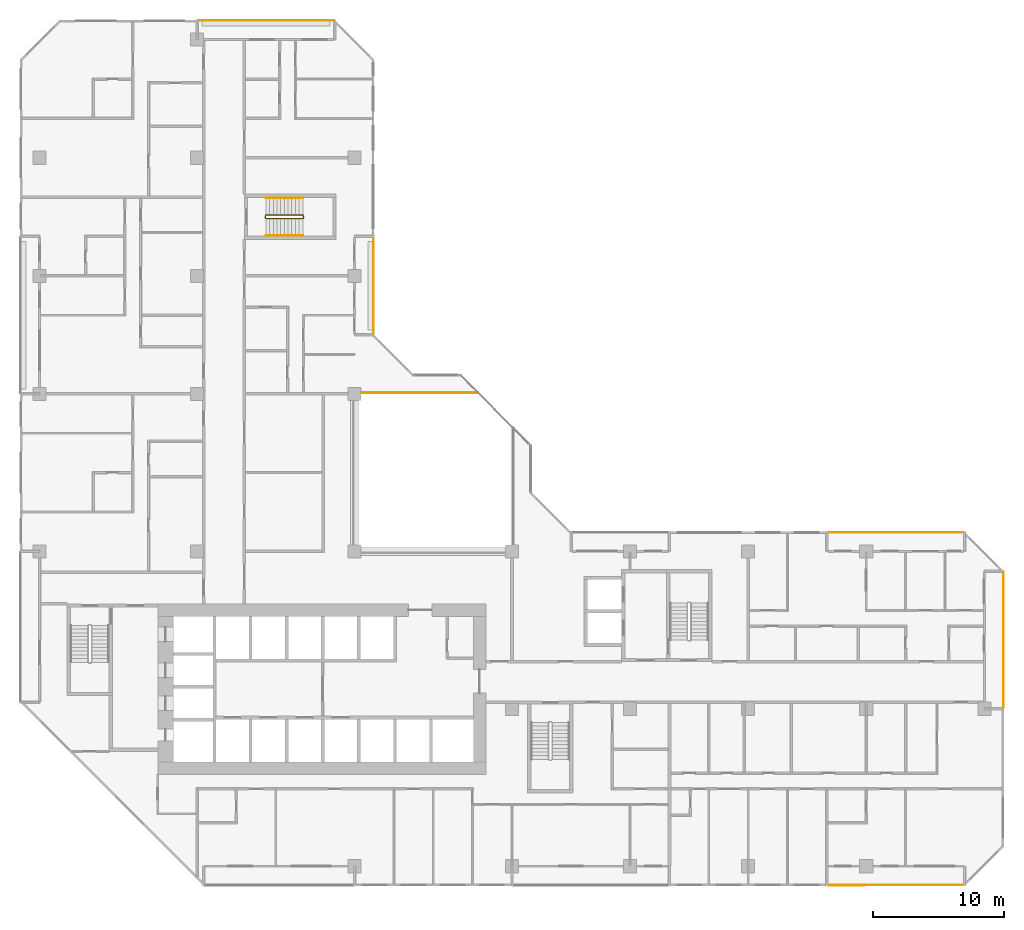
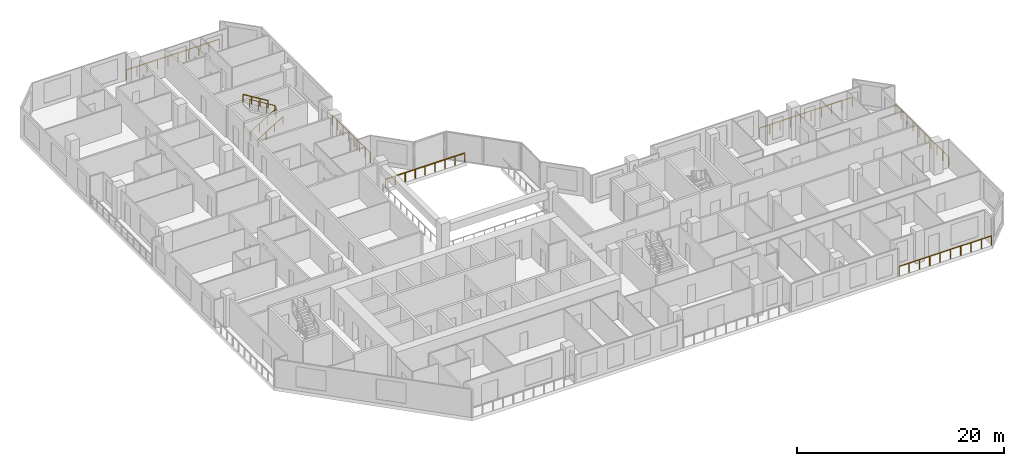
# One storey, part 15 of 15: 9 railings.
"""IFC4 building model written with IfcOpenShell, lengths in metres."""

from ifc_helpers import new_model, si_unit, direction, frame, origin, origin_2d, place, context, subcontext, project, spatial, rectangle, extrude, material, type_object, element, save


model = new_model("IFC4")

# Units and contexts
model_context = context("Model", 3, precision=1e-05, world=origin(), true_north=direction((0.0, 1.0)))
body_context = subcontext(model_context, "Body", "Model", "MODEL_VIEW")
ifc_project = project(units=[si_unit("LENGTHUNIT", "METRE"), si_unit("AREAUNIT", "SQUARE_METRE"), si_unit("VOLUMEUNIT", "CUBIC_METRE"), si_unit("PLANEANGLEUNIT", "RADIAN"), si_unit("MASSUNIT", "GRAM", prefix="KILO")], contexts=[model_context])

# Site, building, storey
site_placement = place(None, origin())
site = spatial("IfcSite", under=ifc_project, at=site_placement, CompositionType="ELEMENT")
building_placement = place(site_placement, origin())
building = spatial("IfcBuilding", under=site, at=building_placement, Name="Chenar Terraces", CompositionType="ELEMENT")
storey_placement = place(building_placement, frame((0.0, 0.0, 136.89990234375)))
storey = spatial("IfcBuildingStorey", under=building, at=storey_placement, Name="L32", CompositionType="ELEMENT", Elevation=136.89990234375)

# Railings
ifc_material_1 = material(Name="Powder-coated steel", Category="steel")
railing_type_1 = type_object("IfcRailingType", Name="Guard 1100 steel rail with glass infill", PredefinedType="GUARDRAIL", material=ifc_material_1)
railing_1_placement = place(storey_placement, frame((24.550048828125, 36.10009765625, 0.0)))
element("IfcRailing", 1, at=railing_1_placement, inside=storey, type_object=railing_type_1, Name="Guard L32-2", PredefinedType="GUARDRAIL", context=body_context, shape_type="SweptSolid", body=[
    extrude(rectangle(XDim=0.06005859375, YDim=0.06005859375, at=origin_2d()), frame((0.0, 0.0, 1.070068359375), z_axis=(1.0, 0.0, 0.0), x_axis=(0.0, 1.0, 0.0)), (0.0, 0.0, 1.0), 8.849853515625),
    extrude(rectangle(XDim=0.050048828125, YDim=0.050048828125, at=origin_2d()), origin(), (0.0, 0.0, 1.0), 1.0400390625),
    extrude(rectangle(XDim=0.050048828125, YDim=0.050048828125, at=origin_2d()), frame((1.106201171875, 0.0, 0.0)), (0.0, 0.0, 1.0), 1.0400390625),
    extrude(rectangle(XDim=0.050048828125, YDim=0.050048828125, at=origin_2d()), frame((2.21240234375, 0.0, 0.0)), (0.0, 0.0, 1.0), 1.0400390625),
    extrude(rectangle(XDim=0.050048828125, YDim=0.050048828125, at=origin_2d()), frame((3.318603515625, 0.0, 0.0)), (0.0, 0.0, 1.0), 1.0400390625),
    extrude(rectangle(XDim=0.050048828125, YDim=0.050048828125, at=origin_2d()), frame((4.4248046875, 0.0, 0.0)), (0.0, 0.0, 1.0), 1.0400390625),
    extrude(rectangle(XDim=0.050048828125, YDim=0.050048828125, at=origin_2d()), frame((5.53125, 0.0, 0.0)), (0.0, 0.0, 1.0), 1.0400390625),
    extrude(rectangle(XDim=0.050048828125, YDim=0.050048828125, at=origin_2d()), frame((6.637451171875, 0.0, 0.0)), (0.0, 0.0, 1.0), 1.0400390625),
    extrude(rectangle(XDim=0.050048828125, YDim=0.050048828125, at=origin_2d()), frame((7.74365234375, 0.0, 0.0)), (0.0, 0.0, 1.0), 1.0400390625),
    extrude(rectangle(XDim=0.050048828125, YDim=0.050048828125, at=origin_2d()), frame((8.849853515625, 0.0, 0.0)), (0.0, 0.0, 1.0), 1.0400390625),
])
ifc_material_2 = material(Name="Stainless steel and glass", Category="steel")
railing_type_2 = type_object("IfcRailingType", Name="Loggia guard 1150", PredefinedType="GUARDRAIL", material=ifc_material_2)
railing_2_placement = place(storey_placement, frame((25.449951171875, 40.574951171875, 0.0)))
element("IfcRailing", 2, at=railing_2_placement, inside=storey, type_object=railing_type_2, Name="Loggia guard", PredefinedType="GUARDRAIL", context=body_context, shape_type="SweptSolid", body=[
    extrude(rectangle(XDim=0.048095703125, YDim=0.048095703125, at=origin_2d()), frame((0.0, 0.0, 1.1259765625), z_axis=(0.0, 1.0, 0.0), x_axis=(-1.0, 0.0, 0.0)), (0.0, 0.0, 1.0), 7.35009765625),
    extrude(rectangle(XDim=0.0419921875, YDim=0.0419921875, at=origin_2d()), origin(), (0.0, 0.0, 1.0), 1.101806640625),
    extrude(rectangle(XDim=0.0419921875, YDim=0.0419921875, at=origin_2d()), frame((0.0, 1.050048828125, 0.0)), (0.0, 0.0, 1.0), 1.101806640625),
    extrude(rectangle(XDim=0.0419921875, YDim=0.0419921875, at=origin_2d()), frame((0.0, 2.10009765625, 0.0)), (0.0, 0.0, 1.0), 1.101806640625),
    extrude(rectangle(XDim=0.0419921875, YDim=0.0419921875, at=origin_2d()), frame((0.0, 3.150146484375, 0.0)), (0.0, 0.0, 1.0), 1.101806640625),
    extrude(rectangle(XDim=0.0419921875, YDim=0.0419921875, at=origin_2d()), frame((0.0, 4.199951171875, 0.0)), (0.0, 0.0, 1.0), 1.101806640625),
    extrude(rectangle(XDim=0.0419921875, YDim=0.0419921875, at=origin_2d()), frame((0.0, 5.25, 0.0)), (0.0, 0.0, 1.0), 1.101806640625),
    extrude(rectangle(XDim=0.0419921875, YDim=0.0419921875, at=origin_2d()), frame((0.0, 6.300048828125, 0.0)), (0.0, 0.0, 1.0), 1.101806640625),
    extrude(rectangle(XDim=0.0419921875, YDim=0.0419921875, at=origin_2d()), frame((0.0, 7.35009765625, 0.0)), (0.0, 0.0, 1.0), 1.101806640625),
])
railing_3_placement = place(storey_placement, frame((73.449951171875, 12.074951171875, 0.0)))
element("IfcRailing", 3, at=railing_3_placement, inside=storey, type_object=railing_type_2, Name="Loggia guard", PredefinedType="GUARDRAIL", context=body_context, shape_type="SweptSolid", body=[
    extrude(rectangle(XDim=0.048095703125, YDim=0.048095703125, at=origin_2d()), frame((0.0, 0.0, 1.1259765625), z_axis=(0.0, 1.0, 0.0), x_axis=(-1.0, 0.0, 0.0)), (0.0, 0.0, 1.0), 10.35009765625),
    extrude(rectangle(XDim=0.0419921875, YDim=0.0419921875, at=origin_2d()), origin(), (0.0, 0.0, 1.0), 1.101806640625),
    extrude(rectangle(XDim=0.0419921875, YDim=0.0419921875, at=origin_2d()), frame((0.0, 1.14990234375, 0.0)), (0.0, 0.0, 1.0), 1.101806640625),
    extrude(rectangle(XDim=0.0419921875, YDim=0.0419921875, at=origin_2d()), frame((0.0, 2.300048828125, 0.0)), (0.0, 0.0, 1.0), 1.101806640625),
    extrude(rectangle(XDim=0.0419921875, YDim=0.0419921875, at=origin_2d()), frame((0.0, 3.449951171875, 0.0)), (0.0, 0.0, 1.0), 1.101806640625),
    extrude(rectangle(XDim=0.0419921875, YDim=0.0419921875, at=origin_2d()), frame((0.0, 4.60009765625, 0.0)), (0.0, 0.0, 1.0), 1.101806640625),
    extrude(rectangle(XDim=0.0419921875, YDim=0.0419921875, at=origin_2d()), frame((0.0, 5.75, 0.0)), (0.0, 0.0, 1.0), 1.101806640625),
    extrude(rectangle(XDim=0.0419921875, YDim=0.0419921875, at=origin_2d()), frame((0.0, 6.900146484375, 0.0)), (0.0, 0.0, 1.0), 1.101806640625),
    extrude(rectangle(XDim=0.0419921875, YDim=0.0419921875, at=origin_2d()), frame((0.0, 8.050048828125, 0.0)), (0.0, 0.0, 1.0), 1.101806640625),
    extrude(rectangle(XDim=0.0419921875, YDim=0.0419921875, at=origin_2d()), frame((0.0, 9.2001953125, 0.0)), (0.0, 0.0, 1.0), 1.101806640625),
    extrude(rectangle(XDim=0.0419921875, YDim=0.0419921875, at=origin_2d()), frame((0.0, 10.35009765625, 0.0)), (0.0, 0.0, 1.0), 1.101806640625),
])
for number, where, name in (
    (4, (70.425048828125, 25.449951171875, 0.0), "Loggia guard"),
    (5, (22.425048828125, 64.449951171875, 0.0), "Loggia guard"),
):
    element("IfcRailing", number, at=place(storey_placement, frame(where)), inside=storey, type_object=railing_type_2, Name=name, PredefinedType="GUARDRAIL", context=body_context, shape_type="SweptSolid", body=[
        extrude(rectangle(XDim=0.048095703125, YDim=0.048095703125, at=origin_2d()), frame((0.0, 0.0, 1.1259765625), z_axis=(-1.0, 0.0, 0.0), x_axis=(0.0, -1.0, 0.0)), (0.0, 0.0, 1.0), 10.35009765625),
        extrude(rectangle(XDim=0.0419921875, YDim=0.0419921875, at=origin_2d()), origin(), (0.0, 0.0, 1.0), 1.101806640625),
        extrude(rectangle(XDim=0.0419921875, YDim=0.0419921875, at=origin_2d()), frame((-1.14990234375, 0.0, 0.0)), (0.0, 0.0, 1.0), 1.101806640625),
        extrude(rectangle(XDim=0.0419921875, YDim=0.0419921875, at=origin_2d()), frame((-2.300048828125, 0.0, 0.0)), (0.0, 0.0, 1.0), 1.101806640625),
        extrude(rectangle(XDim=0.0419921875, YDim=0.0419921875, at=origin_2d()), frame((-3.449951171875, 0.0, 0.0)), (0.0, 0.0, 1.0), 1.101806640625),
        extrude(rectangle(XDim=0.0419921875, YDim=0.0419921875, at=origin_2d()), frame((-4.60009765625, 0.0, 0.0)), (0.0, 0.0, 1.0), 1.101806640625),
        extrude(rectangle(XDim=0.0419921875, YDim=0.0419921875, at=origin_2d()), frame((-5.75, 0.0, 0.0)), (0.0, 0.0, 1.0), 1.101806640625),
        extrude(rectangle(XDim=0.0419921875, YDim=0.0419921875, at=origin_2d()), frame((-6.900146484375, 0.0, 0.0)), (0.0, 0.0, 1.0), 1.101806640625),
        extrude(rectangle(XDim=0.0419921875, YDim=0.0419921875, at=origin_2d()), frame((-8.050048828125, 0.0, 0.0)), (0.0, 0.0, 1.0), 1.101806640625),
        extrude(rectangle(XDim=0.0419921875, YDim=0.0419921875, at=origin_2d()), frame((-9.2001953125, 0.0, 0.0)), (0.0, 0.0, 1.0), 1.101806640625),
        extrude(rectangle(XDim=0.0419921875, YDim=0.0419921875, at=origin_2d()), frame((-10.35009765625, 0.0, 0.0)), (0.0, 0.0, 1.0), 1.101806640625),
    ])
railing_4_placement = place(storey_placement, frame((60.074951171875, -1.449951171875, 0.0)))
element("IfcRailing", 6, at=railing_4_placement, inside=storey, type_object=railing_type_2, Name="Loggia guard", PredefinedType="GUARDRAIL", context=body_context, shape_type="SweptSolid", body=[
    extrude(rectangle(XDim=0.048095703125, YDim=0.048095703125, at=origin_2d()), frame((0.0, 0.0, 1.1259765625), z_axis=(1.0, 0.0, 0.0), x_axis=(0.0, 1.0, 0.0)), (0.0, 0.0, 1.0), 10.35009765625),
    extrude(rectangle(XDim=0.0419921875, YDim=0.0419921875, at=origin_2d()), origin(), (0.0, 0.0, 1.0), 1.101806640625),
    extrude(rectangle(XDim=0.0419921875, YDim=0.0419921875, at=origin_2d()), frame((1.14990234375, 0.0, 0.0)), (0.0, 0.0, 1.0), 1.101806640625),
    extrude(rectangle(XDim=0.0419921875, YDim=0.0419921875, at=origin_2d()), frame((2.300048828125, 0.0, 0.0)), (0.0, 0.0, 1.0), 1.101806640625),
    extrude(rectangle(XDim=0.0419921875, YDim=0.0419921875, at=origin_2d()), frame((3.449951171875, 0.0, 0.0)), (0.0, 0.0, 1.0), 1.101806640625),
    extrude(rectangle(XDim=0.0419921875, YDim=0.0419921875, at=origin_2d()), frame((4.60009765625, 0.0, 0.0)), (0.0, 0.0, 1.0), 1.101806640625),
    extrude(rectangle(XDim=0.0419921875, YDim=0.0419921875, at=origin_2d()), frame((5.75, 0.0, 0.0)), (0.0, 0.0, 1.0), 1.101806640625),
    extrude(rectangle(XDim=0.0419921875, YDim=0.0419921875, at=origin_2d()), frame((6.900146484375, 0.0, 0.0)), (0.0, 0.0, 1.0), 1.101806640625),
    extrude(rectangle(XDim=0.0419921875, YDim=0.0419921875, at=origin_2d()), frame((8.050048828125, 0.0, 0.0)), (0.0, 0.0, 1.0), 1.101806640625),
    extrude(rectangle(XDim=0.0419921875, YDim=0.0419921875, at=origin_2d()), frame((9.2001953125, 0.0, 0.0)), (0.0, 0.0, 1.0), 1.101806640625),
    extrude(rectangle(XDim=0.0419921875, YDim=0.0419921875, at=origin_2d()), frame((10.35009765625, 0.0, 0.0)), (0.0, 0.0, 1.0), 1.101806640625),
])
ifc_material_3 = material(Name="Powder-coated steel", Category="steel")
railing_type_3 = type_object("IfcRailingType", Name="Stair guard 1100", PredefinedType="GUARDRAIL", material=ifc_material_3)
railing_5_placement = place(storey_placement, frame((17.25, 49.625, 3.75)))
element("IfcRailing", 7, at=railing_5_placement, inside=storey, type_object=railing_type_3, Name="L32 ST4 stair guard 1", PredefinedType="GUARDRAIL", context=body_context, shape_type="SweptSolid", body=[
    extrude(rectangle(XDim=0.048095703125, YDim=0.048095703125, at=origin_2d()), frame((0.0, 0.0, 1.076171875), z_axis=(0.854202870247, 0.0, -0.519939858505), x_axis=(0.0, 1.0, 0.0)), (0.0, 0.0, 1.0), 3.278076171875),
    extrude(rectangle(XDim=0.048095703125, YDim=0.048095703125, at=origin_2d()), frame((2.800048828125, 0.0, -0.62841796875), z_axis=(0.270899902878, -0.270899902878, -0.923702595667), x_axis=(0.707106781187, 0.707106781187, 0.0)), (0.0, 0.0, 1.0), 0.184814453125),
    extrude(rectangle(XDim=0.048095703125, YDim=0.048095703125, at=origin_2d()), frame((2.85009765625, -0.050048828125, -0.798828125), z_axis=(0.0, -1.0, 0.0), x_axis=(1.0, 0.0, 0.0)), (0.0, 0.0, 1.0), 0.14990234375),
    extrude(rectangle(XDim=0.048095703125, YDim=0.048095703125, at=origin_2d()), frame((2.85009765625, -0.199951171875, -0.798828125), z_axis=(-0.707106781187, -0.707106781187, 0.0), x_axis=(0.707106781187, -0.707106781187, 0.0)), (0.0, 0.0, 1.0), 0.07080078125),
    extrude(rectangle(XDim=0.048095703125, YDim=0.048095703125, at=origin_2d()), frame((2.800048828125, -0.25, -0.798828125), z_axis=(-0.854202870247, 0.0, -0.519939858505), x_axis=(0.0, -1.0, 0.0)), (0.0, 0.0, 1.0), 3.278076171875),
    extrude(rectangle(XDim=0.048095703125, YDim=0.048095703125, at=origin_2d()), frame((0.0, -0.25, -2.50341796875), z_axis=(-0.270899902878, 0.270899902878, -0.923702595667), x_axis=(-0.707106781187, -0.707106781187, 0.0)), (0.0, 0.0, 1.0), 0.184814453125),
    extrude(rectangle(XDim=0.048095703125, YDim=0.048095703125, at=origin_2d()), frame((-0.050048828125, -0.199951171875, -2.673828125), z_axis=(0.0, 1.0, 0.0), x_axis=(-1.0, 0.0, 0.0)), (0.0, 0.0, 1.0), 0.14990234375),
    extrude(rectangle(XDim=0.0419921875, YDim=0.0419921875, at=origin_2d()), origin(), (0.0, 0.0, 1.0), 1.052001953125),
    extrude(rectangle(XDim=0.0419921875, YDim=0.0419921875, at=origin_2d()), frame((0.933349609375, 0.0, -0.568115234375)), (0.0, 0.0, 1.0), 1.052001953125),
    extrude(rectangle(XDim=0.0419921875, YDim=0.0419921875, at=origin_2d()), frame((1.86669921875, 0.0, -1.13623046875)), (0.0, 0.0, 1.0), 1.052001953125),
    extrude(rectangle(XDim=0.0419921875, YDim=0.0419921875, at=origin_2d()), frame((2.800048828125, 0.0, -1.704345703125)), (0.0, 0.0, 1.0), 1.052001953125),
    extrude(rectangle(XDim=0.0419921875, YDim=0.0419921875, at=origin_2d()), frame((2.85009765625, -0.050048828125, -1.875)), (0.0, 0.0, 1.0), 1.052001953125),
    extrude(rectangle(XDim=0.0419921875, YDim=0.0419921875, at=origin_2d()), frame((2.85009765625, -0.199951171875, -1.875)), (0.0, 0.0, 1.0), 1.052001953125),
    extrude(rectangle(XDim=0.0419921875, YDim=0.0419921875, at=origin_2d()), frame((2.800048828125, -0.25, -1.875)), (0.0, 0.0, 1.0), 1.052001953125),
    extrude(rectangle(XDim=0.0419921875, YDim=0.0419921875, at=origin_2d()), frame((1.86669921875, -0.25, -2.443115234375)), (0.0, 0.0, 1.0), 1.052001953125),
    extrude(rectangle(XDim=0.0419921875, YDim=0.0419921875, at=origin_2d()), frame((0.933349609375, -0.25, -3.01123046875)), (0.0, 0.0, 1.0), 1.052001953125),
    extrude(rectangle(XDim=0.0419921875, YDim=0.0419921875, at=origin_2d()), frame((0.0, -0.25, -3.579345703125)), (0.0, 0.0, 1.0), 1.052001953125),
    extrude(rectangle(XDim=0.0419921875, YDim=0.0419921875, at=origin_2d()), frame((-0.050048828125, -0.199951171875, -3.75)), (0.0, 0.0, 1.0), 1.052001953125),
    extrude(rectangle(XDim=0.0419921875, YDim=0.0419921875, at=origin_2d()), frame((-0.050048828125, -0.050048828125, -3.75)), (0.0, 0.0, 1.0), 1.052001953125),
])
ifc_material_4 = material(Name="Powder-coated steel", Category="steel")
railing_type_4 = type_object("IfcRailingType", Name="Stair handrail 900", PredefinedType="HANDRAIL", material=ifc_material_4)
railing_6_placement = place(storey_placement, frame((17.25, 48.074951171875, 0.170654296875)))
element("IfcRailing", 8, at=railing_6_placement, inside=storey, type_object=railing_type_4, Name="L32 ST4 stair handrail 1", PredefinedType="HANDRAIL", context=body_context, shape_type="SweptSolid", body=[
    extrude(rectangle(XDim=0.048095703125, YDim=0.048095703125, at=origin_2d()), frame((0.0, 0.0, 0.8759765625), z_axis=(0.854202870247, 0.0, 0.519939858505), x_axis=(0.0, 1.0, 0.0)), (0.0, 0.0, 1.0), 3.278076171875),
    extrude(rectangle(XDim=0.0419921875, YDim=0.0419921875, at=origin_2d()), origin(), (0.0, 0.0, 1.0), 0.851806640625),
    extrude(rectangle(XDim=0.0419921875, YDim=0.0419921875, at=origin_2d()), frame((0.933349609375, 0.0, 0.568115234375)), (0.0, 0.0, 1.0), 0.851806640625),
    extrude(rectangle(XDim=0.0419921875, YDim=0.0419921875, at=origin_2d()), frame((1.86669921875, 0.0, 1.13623046875)), (0.0, 0.0, 1.0), 0.851806640625),
    extrude(rectangle(XDim=0.0419921875, YDim=0.0419921875, at=origin_2d()), frame((2.800048828125, 0.0, 1.704345703125)), (0.0, 0.0, 1.0), 0.851806640625),
])
railing_7_placement = place(storey_placement, frame((20.050048828125, 50.925048828125, 2.045654296875)))
element("IfcRailing", 9, at=railing_7_placement, inside=storey, type_object=railing_type_4, Name="L32 ST4 stair handrail 2", PredefinedType="HANDRAIL", context=body_context, shape_type="SweptSolid", body=[
    extrude(rectangle(XDim=0.048095703125, YDim=0.048095703125, at=origin_2d()), frame((0.0, 0.0, 0.8759765625), z_axis=(-0.854202870247, 0.0, 0.519939858505), x_axis=(0.0, -1.0, 0.0)), (0.0, 0.0, 1.0), 3.278076171875),
    extrude(rectangle(XDim=0.0419921875, YDim=0.0419921875, at=origin_2d()), origin(), (0.0, 0.0, 1.0), 0.851806640625),
    extrude(rectangle(XDim=0.0419921875, YDim=0.0419921875, at=origin_2d()), frame((-0.933349609375, 0.0, 0.568115234375)), (0.0, 0.0, 1.0), 0.851806640625),
    extrude(rectangle(XDim=0.0419921875, YDim=0.0419921875, at=origin_2d()), frame((-1.86669921875, 0.0, 1.13623046875)), (0.0, 0.0, 1.0), 0.851806640625),
    extrude(rectangle(XDim=0.0419921875, YDim=0.0419921875, at=origin_2d()), frame((-2.800048828125, 0.0, 1.704345703125)), (0.0, 0.0, 1.0), 0.851806640625),
])

save(model, "model.ifc")
